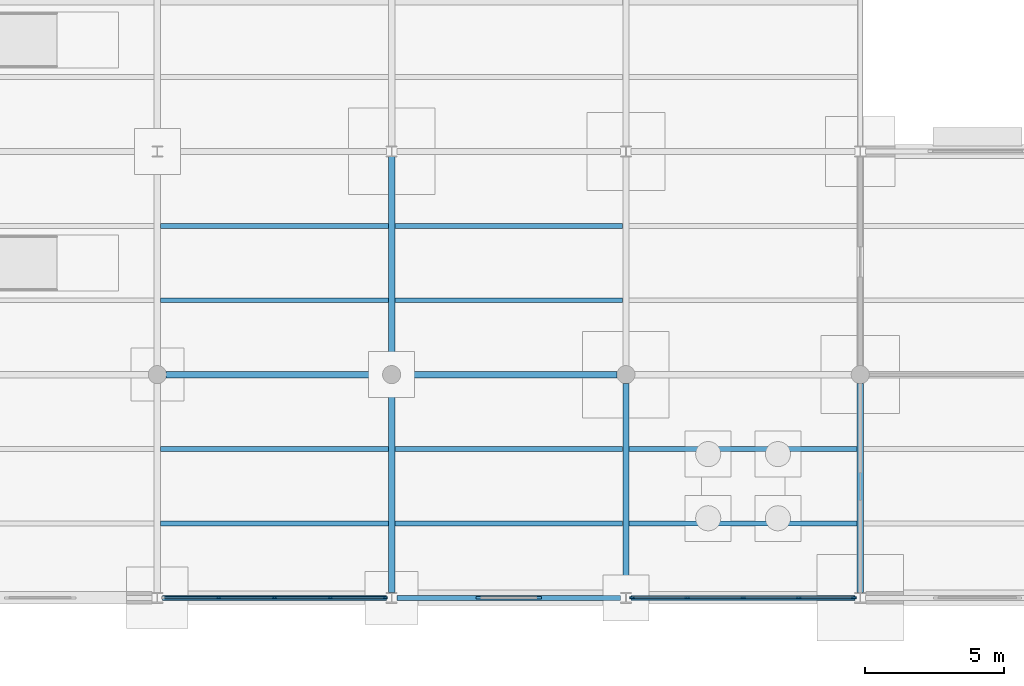
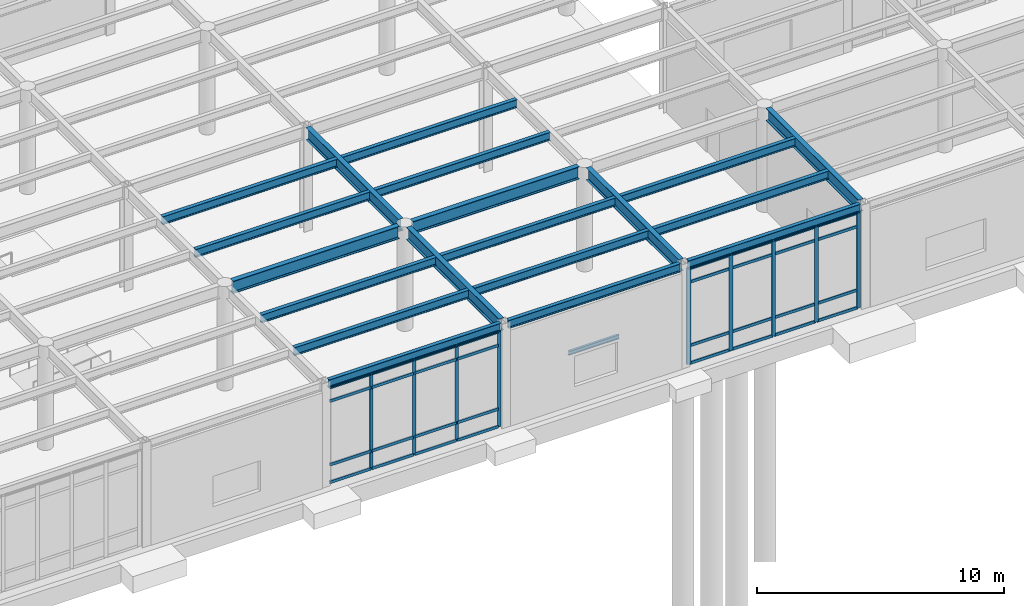
# One storey, part 52 of 138: 41 members, 20 beams, 2 elements without a shape of their own.
"""IFC4 building model written with IfcOpenShell, lengths in metres."""

from ifc_helpers import new_model, si_unit, direction, frame, origin, origin_2d, place, context, subcontext, project, spatial, rectangle, i_section, extrude, material, layer, layer_set, material_profile, profile_set, type_object, element, aggregate, save


model = new_model("IFC4")

# Units and contexts
model_context = context("Model", 3, precision=1e-05, world=origin(), true_north=direction((0.0, 1.0)))
body_context = subcontext(model_context, "Body", "Model", "MODEL_VIEW")
ifc_project = project(units=[si_unit("LENGTHUNIT", "METRE"), si_unit("AREAUNIT", "SQUARE_METRE"), si_unit("VOLUMEUNIT", "CUBIC_METRE"), si_unit("PLANEANGLEUNIT", "RADIAN"), si_unit("MASSUNIT", "GRAM", prefix="KILO")], contexts=[model_context])

# Site, building, storey
site_placement = place(None, origin())
site = spatial("IfcSite", under=ifc_project, at=site_placement, CompositionType="ELEMENT")
building_placement = place(site_placement, origin())
building = spatial("IfcBuilding", under=site, at=building_placement, Name="Kranzveld Transit Interchange", CompositionType="ELEMENT")
storey_placement = place(building_placement, origin())
storey = spatial("IfcBuildingStorey", under=building, at=storey_placement, Name="L00", CompositionType="ELEMENT", Elevation=0.0)

# Curtain wall, members
ifc_material_1 = material(Name="Bronze-anodised thermally broken aluminium", Category="aluminium")
ifc_layer_1 = layer(ifc_material_1, 0.159912109375)
ifc_layer_set_1 = layer_set([ifc_layer_1], Name="Bronze-anodised thermally broken aluminium")
curtain_wall_type_1 = type_object("IfcCurtainWallType", Name="Bus Boarding Glazed Screen CW-3", PredefinedType="USERDEFINED", material=ifc_layer_set_1)
curtain_wall_1_placement = place(storey_placement, origin())
curtain_wall_1 = element("IfcCurtainWall", 1, at=curtain_wall_1_placement, inside=storey, type_object=curtain_wall_type_1, Name="L00 Curtain Wall 16/A-17/A", ObjectType="CURTAIN WALL", PredefinedType="USERDEFINED")
ifc_material_2 = material(Name="Bronze-anodised thermally broken aluminium", Category="aluminium")
ifc_material_profile_1 = material_profile(ifc_material_2, rectangle(XDim=0.06005859375, YDim=0.14990234375, at=origin_2d()), Name="ALU MULLION 60x150")
ifc_profile_set_1 = profile_set([ifc_material_profile_1], Name="Bronze-anodised thermally broken aluminium")
member_type_1 = type_object("IfcMemberType", Name="Curtain Wall Mullion 60x150 Alu", PredefinedType="MULLION", material=ifc_profile_set_1)
member_1_placement = place(storey_placement, frame((128.19970703125, 0.0, 0.0), z_axis=(0.0, 0.0, 1.0), x_axis=(0.0, 1.0, 0.0)))
member_1 = element("IfcMember", 2, at=member_1_placement, type_object=member_type_1, Name="CW-3 mullion 2", PredefinedType="MULLION", context=body_context, shape_type="SweptSolid", body=[
    extrude(rectangle(XDim=0.06005859375, YDim=0.14990234375, at=origin_2d()), origin(), (0.0, 0.0, 1.0), 4.740478515625),
])
member_2_placement = place(storey_placement, frame((130.199951171875, 0.0, 0.0), z_axis=(0.0, 0.0, 1.0), x_axis=(0.0, 1.0, 0.0)))
member_2 = element("IfcMember", 3, at=member_2_placement, type_object=member_type_1, Name="CW-3 mullion 3", PredefinedType="MULLION", context=body_context, shape_type="SweptSolid", body=[
    extrude(rectangle(XDim=0.06005859375, YDim=0.14990234375, at=origin_2d()), origin(), (0.0, 0.0, 1.0), 4.740478515625),
])
member_3_placement = place(storey_placement, frame((132.2001953125, 0.0, 0.0), z_axis=(0.0, 0.0, 1.0), x_axis=(0.0, 1.0, 0.0)))
member_3 = element("IfcMember", 4, at=member_3_placement, type_object=member_type_1, Name="CW-3 mullion 4", PredefinedType="MULLION", context=body_context, shape_type="SweptSolid", body=[
    extrude(rectangle(XDim=0.06005859375, YDim=0.14990234375, at=origin_2d()), origin(), (0.0, 0.0, 1.0), 4.740478515625),
])
member_4_placement = place(storey_placement, frame((134.17041015625, 0.0, 0.0), z_axis=(0.0, 0.0, 1.0), x_axis=(0.0, 1.0, 0.0)))
member_4 = element("IfcMember", 5, at=member_4_placement, type_object=member_type_1, Name="CW-3 mullion 5", PredefinedType="MULLION", context=body_context, shape_type="SweptSolid", body=[
    extrude(rectangle(XDim=0.06005859375, YDim=0.14990234375, at=origin_2d()), origin(), (0.0, 0.0, 1.0), 4.740478515625),
])

ifc_material_3 = material(Name="Bronze-anodised thermally broken aluminium", Category="aluminium")
ifc_layer_2 = layer(ifc_material_3, 0.179931640625)
ifc_layer_set_2 = layer_set([ifc_layer_2], Name="Bronze-anodised thermally broken aluminium")
curtain_wall_type_2 = type_object("IfcCurtainWallType", Name="Concourse Unitised Curtain Wall CW-1", PredefinedType="USERDEFINED", material=ifc_layer_set_2)
curtain_wall_2_placement = place(storey_placement, origin())
curtain_wall_2 = element("IfcCurtainWall", 6, at=curtain_wall_2_placement, inside=storey, type_object=curtain_wall_type_2, Name="L00 Curtain Wall 18/A-19/A", ObjectType="CURTAIN WALL", PredefinedType="USERDEFINED")
ifc_material_4 = material(Name="Bronze-anodised thermally broken aluminium", Category="aluminium")
ifc_material_profile_2 = material_profile(ifc_material_4, rectangle(XDim=0.06494140625, YDim=0.179931640625, at=origin_2d()), Name="ALU MULLION 65x180")
ifc_profile_set_2 = profile_set([ifc_material_profile_2], Name="Bronze-anodised thermally broken aluminium")
member_type_2 = type_object("IfcMemberType", Name="Curtain Wall Mullion 65x180 Alu", PredefinedType="MULLION", material=ifc_profile_set_2)
member_5_placement = place(storey_placement, frame((143.031982421875, 0.0, 0.0), z_axis=(0.0, 0.0, 1.0), x_axis=(0.0, 1.0, 0.0)))
member_5 = element("IfcMember", 7, at=member_5_placement, type_object=member_type_2, Name="CW-1 mullion 1", PredefinedType="MULLION", context=body_context, shape_type="SweptSolid", body=[
    extrude(rectangle(XDim=0.06494140625, YDim=0.179931640625, at=origin_2d()), origin(), (0.0, 0.0, 1.0), 4.740478515625),
])
member_6_placement = place(storey_placement, frame((144.999755859375, 0.0, 0.0), z_axis=(0.0, 0.0, 1.0), x_axis=(0.0, 1.0, 0.0)))
member_6 = element("IfcMember", 8, at=member_6_placement, type_object=member_type_2, Name="CW-1 mullion 2", PredefinedType="MULLION", context=body_context, shape_type="SweptSolid", body=[
    extrude(rectangle(XDim=0.06494140625, YDim=0.179931640625, at=origin_2d()), origin(), (0.0, 0.0, 1.0), 4.740478515625),
])
member_7_placement = place(storey_placement, frame((147.0, 0.0, 0.0), z_axis=(0.0, 0.0, 1.0), x_axis=(0.0, 1.0, 0.0)))
member_7 = element("IfcMember", 9, at=member_7_placement, type_object=member_type_2, Name="CW-1 mullion 3", PredefinedType="MULLION", context=body_context, shape_type="SweptSolid", body=[
    extrude(rectangle(XDim=0.06494140625, YDim=0.179931640625, at=origin_2d()), origin(), (0.0, 0.0, 1.0), 4.740478515625),
])
member_8_placement = place(storey_placement, frame((149.000244140625, 0.0, 0.0), z_axis=(0.0, 0.0, 1.0), x_axis=(0.0, 1.0, 0.0)))
member_8 = element("IfcMember", 10, at=member_8_placement, type_object=member_type_2, Name="CW-1 mullion 4", PredefinedType="MULLION", context=body_context, shape_type="SweptSolid", body=[
    extrude(rectangle(XDim=0.06494140625, YDim=0.179931640625, at=origin_2d()), origin(), (0.0, 0.0, 1.0), 4.740478515625),
])
member_9_placement = place(storey_placement, frame((150.968017578125, 0.0, 0.0), z_axis=(0.0, 0.0, 1.0), x_axis=(0.0, 1.0, 0.0)))
member_9 = element("IfcMember", 11, at=member_9_placement, type_object=member_type_2, Name="CW-1 mullion 5", PredefinedType="MULLION", context=body_context, shape_type="SweptSolid", body=[
    extrude(rectangle(XDim=0.06494140625, YDim=0.179931640625, at=origin_2d()), origin(), (0.0, 0.0, 1.0), 4.740478515625),
])

# Member
ifc_material_5 = material(Name="Bronze-anodised thermally broken aluminium", Category="aluminium")
ifc_material_profile_3 = material_profile(ifc_material_5, rectangle(XDim=0.06494140625, YDim=0.139892578125, at=origin_2d()), Name="ALU TRANSOM 65x140")
ifc_profile_set_3 = profile_set([ifc_material_profile_3], Name="Bronze-anodised thermally broken aluminium")
member_type_3 = type_object("IfcMemberType", Name="Curtain Wall Transom 65x140 Alu", PredefinedType="USERDEFINED", material=ifc_profile_set_3)
member_10_placement = place(storey_placement, frame((126.259521484375, 0.0, 0.032470703125), z_axis=(1.0, 0.0, 0.0), x_axis=(0.0, 1.0, 0.0)))
member_10 = element("IfcMember", 12, at=member_10_placement, type_object=member_type_3, Name="CW-3 transom 1.1", ObjectType="TRANSOM", PredefinedType="USERDEFINED", context=body_context, shape_type="SweptSolid", body=[
    extrude(rectangle(XDim=0.06494140625, YDim=0.139892578125, at=origin_2d()), origin(), (0.0, 0.0, 1.0), 1.91015625),
])

member_11_placement = place(storey_placement, frame((126.259521484375, 0.0, 0.89990234375), z_axis=(1.0, 0.0, 0.0), x_axis=(0.0, 1.0, 0.0)))
member_11 = element("IfcMember", 13, at=member_11_placement, type_object=member_type_3, Name="CW-3 transom 1.2", ObjectType="TRANSOM", PredefinedType="USERDEFINED", context=body_context, shape_type="SweptSolid", body=[
    extrude(rectangle(XDim=0.06494140625, YDim=0.139892578125, at=origin_2d()), origin(), (0.0, 0.0, 1.0), 1.91015625),
])

member_12_placement = place(storey_placement, frame((126.259521484375, 0.0, 4.04052734375), z_axis=(1.0, 0.0, 0.0), x_axis=(0.0, 1.0, 0.0)))
member_12 = element("IfcMember", 14, at=member_12_placement, type_object=member_type_3, Name="CW-3 transom 1.3", ObjectType="TRANSOM", PredefinedType="USERDEFINED", context=body_context, shape_type="SweptSolid", body=[
    extrude(rectangle(XDim=0.06494140625, YDim=0.139892578125, at=origin_2d()), origin(), (0.0, 0.0, 1.0), 1.91015625),
])

member_13_placement = place(storey_placement, frame((126.259521484375, 0.0, 4.7080078125), z_axis=(1.0, 0.0, 0.0), x_axis=(0.0, 1.0, 0.0)))
member_13 = element("IfcMember", 15, at=member_13_placement, type_object=member_type_3, Name="CW-3 transom 1.4", ObjectType="TRANSOM", PredefinedType="USERDEFINED", context=body_context, shape_type="SweptSolid", body=[
    extrude(rectangle(XDim=0.06494140625, YDim=0.139892578125, at=origin_2d()), origin(), (0.0, 0.0, 1.0), 1.91015625),
])

member_14_placement = place(storey_placement, frame((128.229736328125, 0.0, 0.032470703125), z_axis=(1.0, 0.0, 0.0), x_axis=(0.0, 1.0, 0.0)))
member_14 = element("IfcMember", 16, at=member_14_placement, type_object=member_type_3, Name="CW-3 transom 2.1", ObjectType="TRANSOM", PredefinedType="USERDEFINED", context=body_context, shape_type="SweptSolid", body=[
    extrude(rectangle(XDim=0.06494140625, YDim=0.139892578125, at=origin_2d()), origin(), (0.0, 0.0, 1.0), 1.940185546875),
])

member_15_placement = place(storey_placement, frame((128.229736328125, 0.0, 0.89990234375), z_axis=(1.0, 0.0, 0.0), x_axis=(0.0, 1.0, 0.0)))
member_15 = element("IfcMember", 17, at=member_15_placement, type_object=member_type_3, Name="CW-3 transom 2.2", ObjectType="TRANSOM", PredefinedType="USERDEFINED", context=body_context, shape_type="SweptSolid", body=[
    extrude(rectangle(XDim=0.06494140625, YDim=0.139892578125, at=origin_2d()), origin(), (0.0, 0.0, 1.0), 1.940185546875),
])

member_16_placement = place(storey_placement, frame((128.229736328125, 0.0, 4.04052734375), z_axis=(1.0, 0.0, 0.0), x_axis=(0.0, 1.0, 0.0)))
member_16 = element("IfcMember", 18, at=member_16_placement, type_object=member_type_3, Name="CW-3 transom 2.3", ObjectType="TRANSOM", PredefinedType="USERDEFINED", context=body_context, shape_type="SweptSolid", body=[
    extrude(rectangle(XDim=0.06494140625, YDim=0.139892578125, at=origin_2d()), origin(), (0.0, 0.0, 1.0), 1.940185546875),
])

member_17_placement = place(storey_placement, frame((128.229736328125, 0.0, 4.7080078125), z_axis=(1.0, 0.0, 0.0), x_axis=(0.0, 1.0, 0.0)))
member_17 = element("IfcMember", 19, at=member_17_placement, type_object=member_type_3, Name="CW-3 transom 2.4", ObjectType="TRANSOM", PredefinedType="USERDEFINED", context=body_context, shape_type="SweptSolid", body=[
    extrude(rectangle(XDim=0.06494140625, YDim=0.139892578125, at=origin_2d()), origin(), (0.0, 0.0, 1.0), 1.940185546875),
])

member_18_placement = place(storey_placement, frame((130.22998046875, 0.0, 0.032470703125), z_axis=(1.0, 0.0, 0.0), x_axis=(0.0, 1.0, 0.0)))
member_18 = element("IfcMember", 20, at=member_18_placement, type_object=member_type_3, Name="CW-3 transom 3.1", ObjectType="TRANSOM", PredefinedType="USERDEFINED", context=body_context, shape_type="SweptSolid", body=[
    extrude(rectangle(XDim=0.06494140625, YDim=0.139892578125, at=origin_2d()), origin(), (0.0, 0.0, 1.0), 1.940185546875),
])

member_19_placement = place(storey_placement, frame((130.22998046875, 0.0, 0.89990234375), z_axis=(1.0, 0.0, 0.0), x_axis=(0.0, 1.0, 0.0)))
member_19 = element("IfcMember", 21, at=member_19_placement, type_object=member_type_3, Name="CW-3 transom 3.2", ObjectType="TRANSOM", PredefinedType="USERDEFINED", context=body_context, shape_type="SweptSolid", body=[
    extrude(rectangle(XDim=0.06494140625, YDim=0.139892578125, at=origin_2d()), origin(), (0.0, 0.0, 1.0), 1.940185546875),
])

member_20_placement = place(storey_placement, frame((130.22998046875, 0.0, 4.04052734375), z_axis=(1.0, 0.0, 0.0), x_axis=(0.0, 1.0, 0.0)))
member_20 = element("IfcMember", 22, at=member_20_placement, type_object=member_type_3, Name="CW-3 transom 3.3", ObjectType="TRANSOM", PredefinedType="USERDEFINED", context=body_context, shape_type="SweptSolid", body=[
    extrude(rectangle(XDim=0.06494140625, YDim=0.139892578125, at=origin_2d()), origin(), (0.0, 0.0, 1.0), 1.940185546875),
])

member_21_placement = place(storey_placement, frame((130.22998046875, 0.0, 4.7080078125), z_axis=(1.0, 0.0, 0.0), x_axis=(0.0, 1.0, 0.0)))
member_21 = element("IfcMember", 23, at=member_21_placement, type_object=member_type_3, Name="CW-3 transom 3.4", ObjectType="TRANSOM", PredefinedType="USERDEFINED", context=body_context, shape_type="SweptSolid", body=[
    extrude(rectangle(XDim=0.06494140625, YDim=0.139892578125, at=origin_2d()), origin(), (0.0, 0.0, 1.0), 1.940185546875),
])

member_22_placement = place(storey_placement, frame((132.230224609375, 0.0, 0.032470703125), z_axis=(1.0, 0.0, 0.0), x_axis=(0.0, 1.0, 0.0)))
member_22 = element("IfcMember", 24, at=member_22_placement, type_object=member_type_3, Name="CW-3 transom 4.1", ObjectType="TRANSOM", PredefinedType="USERDEFINED", context=body_context, shape_type="SweptSolid", body=[
    extrude(rectangle(XDim=0.06494140625, YDim=0.139892578125, at=origin_2d()), origin(), (0.0, 0.0, 1.0), 1.91015625),
])

member_23_placement = place(storey_placement, frame((132.230224609375, 0.0, 0.89990234375), z_axis=(1.0, 0.0, 0.0), x_axis=(0.0, 1.0, 0.0)))
member_23 = element("IfcMember", 25, at=member_23_placement, type_object=member_type_3, Name="CW-3 transom 4.2", ObjectType="TRANSOM", PredefinedType="USERDEFINED", context=body_context, shape_type="SweptSolid", body=[
    extrude(rectangle(XDim=0.06494140625, YDim=0.139892578125, at=origin_2d()), origin(), (0.0, 0.0, 1.0), 1.91015625),
])

member_24_placement = place(storey_placement, frame((132.230224609375, 0.0, 4.04052734375), z_axis=(1.0, 0.0, 0.0), x_axis=(0.0, 1.0, 0.0)))
member_24 = element("IfcMember", 26, at=member_24_placement, type_object=member_type_3, Name="CW-3 transom 4.3", ObjectType="TRANSOM", PredefinedType="USERDEFINED", context=body_context, shape_type="SweptSolid", body=[
    extrude(rectangle(XDim=0.06494140625, YDim=0.139892578125, at=origin_2d()), origin(), (0.0, 0.0, 1.0), 1.91015625),
])

member_25_placement = place(storey_placement, frame((132.230224609375, 0.0, 4.7080078125), z_axis=(1.0, 0.0, 0.0), x_axis=(0.0, 1.0, 0.0)))
member_25 = element("IfcMember", 27, at=member_25_placement, type_object=member_type_3, Name="CW-3 transom 4.4", ObjectType="TRANSOM", PredefinedType="USERDEFINED", context=body_context, shape_type="SweptSolid", body=[
    extrude(rectangle(XDim=0.06494140625, YDim=0.139892578125, at=origin_2d()), origin(), (0.0, 0.0, 1.0), 1.91015625),
])

aggregate(curtain_wall_1, [member_1, member_2, member_3, member_4, member_10, member_11, member_12, member_13, member_14, member_15, member_16, member_17, member_18, member_19, member_20, member_21, member_22, member_23, member_24, member_25])

member_26_placement = place(storey_placement, frame((143.064453125, 0.0, 0.032470703125), z_axis=(1.0, 0.0, 0.0), x_axis=(0.0, 1.0, 0.0)))
member_26 = element("IfcMember", 28, at=member_26_placement, type_object=member_type_3, Name="CW-1 transom 1.1", ObjectType="TRANSOM", PredefinedType="USERDEFINED", context=body_context, shape_type="SweptSolid", body=[
    extrude(rectangle(XDim=0.06494140625, YDim=0.139892578125, at=origin_2d()), origin(), (0.0, 0.0, 1.0), 1.90283203125),
])

member_27_placement = place(storey_placement, frame((143.064453125, 0.0, 0.89990234375), z_axis=(1.0, 0.0, 0.0), x_axis=(0.0, 1.0, 0.0)))
member_27 = element("IfcMember", 29, at=member_27_placement, type_object=member_type_3, Name="CW-1 transom 1.2", ObjectType="TRANSOM", PredefinedType="USERDEFINED", context=body_context, shape_type="SweptSolid", body=[
    extrude(rectangle(XDim=0.06494140625, YDim=0.139892578125, at=origin_2d()), origin(), (0.0, 0.0, 1.0), 1.90283203125),
])

member_28_placement = place(storey_placement, frame((143.064453125, 0.0, 4.04052734375), z_axis=(1.0, 0.0, 0.0), x_axis=(0.0, 1.0, 0.0)))
member_28 = element("IfcMember", 30, at=member_28_placement, type_object=member_type_3, Name="CW-1 transom 1.3", ObjectType="TRANSOM", PredefinedType="USERDEFINED", context=body_context, shape_type="SweptSolid", body=[
    extrude(rectangle(XDim=0.06494140625, YDim=0.139892578125, at=origin_2d()), origin(), (0.0, 0.0, 1.0), 1.90283203125),
])

member_29_placement = place(storey_placement, frame((143.064453125, 0.0, 4.7080078125), z_axis=(1.0, 0.0, 0.0), x_axis=(0.0, 1.0, 0.0)))
member_29 = element("IfcMember", 31, at=member_29_placement, type_object=member_type_3, Name="CW-1 transom 1.4", ObjectType="TRANSOM", PredefinedType="USERDEFINED", context=body_context, shape_type="SweptSolid", body=[
    extrude(rectangle(XDim=0.06494140625, YDim=0.139892578125, at=origin_2d()), origin(), (0.0, 0.0, 1.0), 1.90283203125),
])

member_30_placement = place(storey_placement, frame((145.0322265625, 0.0, 0.032470703125), z_axis=(1.0, 0.0, 0.0), x_axis=(0.0, 1.0, 0.0)))
member_30 = element("IfcMember", 32, at=member_30_placement, type_object=member_type_3, Name="CW-1 transom 2.1", ObjectType="TRANSOM", PredefinedType="USERDEFINED", context=body_context, shape_type="SweptSolid", body=[
    extrude(rectangle(XDim=0.06494140625, YDim=0.139892578125, at=origin_2d()), origin(), (0.0, 0.0, 1.0), 1.935302734375),
])

member_31_placement = place(storey_placement, frame((145.0322265625, 0.0, 0.89990234375), z_axis=(1.0, 0.0, 0.0), x_axis=(0.0, 1.0, 0.0)))
member_31 = element("IfcMember", 33, at=member_31_placement, type_object=member_type_3, Name="CW-1 transom 2.2", ObjectType="TRANSOM", PredefinedType="USERDEFINED", context=body_context, shape_type="SweptSolid", body=[
    extrude(rectangle(XDim=0.06494140625, YDim=0.139892578125, at=origin_2d()), origin(), (0.0, 0.0, 1.0), 1.935302734375),
])

member_32_placement = place(storey_placement, frame((145.0322265625, 0.0, 4.04052734375), z_axis=(1.0, 0.0, 0.0), x_axis=(0.0, 1.0, 0.0)))
member_32 = element("IfcMember", 34, at=member_32_placement, type_object=member_type_3, Name="CW-1 transom 2.3", ObjectType="TRANSOM", PredefinedType="USERDEFINED", context=body_context, shape_type="SweptSolid", body=[
    extrude(rectangle(XDim=0.06494140625, YDim=0.139892578125, at=origin_2d()), origin(), (0.0, 0.0, 1.0), 1.935302734375),
])

member_33_placement = place(storey_placement, frame((145.0322265625, 0.0, 4.7080078125), z_axis=(1.0, 0.0, 0.0), x_axis=(0.0, 1.0, 0.0)))
member_33 = element("IfcMember", 35, at=member_33_placement, type_object=member_type_3, Name="CW-1 transom 2.4", ObjectType="TRANSOM", PredefinedType="USERDEFINED", context=body_context, shape_type="SweptSolid", body=[
    extrude(rectangle(XDim=0.06494140625, YDim=0.139892578125, at=origin_2d()), origin(), (0.0, 0.0, 1.0), 1.935302734375),
])

member_34_placement = place(storey_placement, frame((147.032470703125, 0.0, 0.032470703125), z_axis=(1.0, 0.0, 0.0), x_axis=(0.0, 1.0, 0.0)))
member_34 = element("IfcMember", 36, at=member_34_placement, type_object=member_type_3, Name="CW-1 transom 3.1", ObjectType="TRANSOM", PredefinedType="USERDEFINED", context=body_context, shape_type="SweptSolid", body=[
    extrude(rectangle(XDim=0.06494140625, YDim=0.139892578125, at=origin_2d()), origin(), (0.0, 0.0, 1.0), 1.935302734375),
])

member_35_placement = place(storey_placement, frame((147.032470703125, 0.0, 0.89990234375), z_axis=(1.0, 0.0, 0.0), x_axis=(0.0, 1.0, 0.0)))
member_35 = element("IfcMember", 37, at=member_35_placement, type_object=member_type_3, Name="CW-1 transom 3.2", ObjectType="TRANSOM", PredefinedType="USERDEFINED", context=body_context, shape_type="SweptSolid", body=[
    extrude(rectangle(XDim=0.06494140625, YDim=0.139892578125, at=origin_2d()), origin(), (0.0, 0.0, 1.0), 1.935302734375),
])

member_36_placement = place(storey_placement, frame((147.032470703125, 0.0, 4.04052734375), z_axis=(1.0, 0.0, 0.0), x_axis=(0.0, 1.0, 0.0)))
member_36 = element("IfcMember", 38, at=member_36_placement, type_object=member_type_3, Name="CW-1 transom 3.3", ObjectType="TRANSOM", PredefinedType="USERDEFINED", context=body_context, shape_type="SweptSolid", body=[
    extrude(rectangle(XDim=0.06494140625, YDim=0.139892578125, at=origin_2d()), origin(), (0.0, 0.0, 1.0), 1.935302734375),
])

member_37_placement = place(storey_placement, frame((147.032470703125, 0.0, 4.7080078125), z_axis=(1.0, 0.0, 0.0), x_axis=(0.0, 1.0, 0.0)))
member_37 = element("IfcMember", 39, at=member_37_placement, type_object=member_type_3, Name="CW-1 transom 3.4", ObjectType="TRANSOM", PredefinedType="USERDEFINED", context=body_context, shape_type="SweptSolid", body=[
    extrude(rectangle(XDim=0.06494140625, YDim=0.139892578125, at=origin_2d()), origin(), (0.0, 0.0, 1.0), 1.935302734375),
])

member_38_placement = place(storey_placement, frame((149.03271484375, 0.0, 0.032470703125), z_axis=(1.0, 0.0, 0.0), x_axis=(0.0, 1.0, 0.0)))
member_38 = element("IfcMember", 40, at=member_38_placement, type_object=member_type_3, Name="CW-1 transom 4.1", ObjectType="TRANSOM", PredefinedType="USERDEFINED", context=body_context, shape_type="SweptSolid", body=[
    extrude(rectangle(XDim=0.06494140625, YDim=0.139892578125, at=origin_2d()), origin(), (0.0, 0.0, 1.0), 1.90283203125),
])

member_39_placement = place(storey_placement, frame((149.03271484375, 0.0, 0.89990234375), z_axis=(1.0, 0.0, 0.0), x_axis=(0.0, 1.0, 0.0)))
member_39 = element("IfcMember", 41, at=member_39_placement, type_object=member_type_3, Name="CW-1 transom 4.2", ObjectType="TRANSOM", PredefinedType="USERDEFINED", context=body_context, shape_type="SweptSolid", body=[
    extrude(rectangle(XDim=0.06494140625, YDim=0.139892578125, at=origin_2d()), origin(), (0.0, 0.0, 1.0), 1.90283203125),
])

member_40_placement = place(storey_placement, frame((149.03271484375, 0.0, 4.04052734375), z_axis=(1.0, 0.0, 0.0), x_axis=(0.0, 1.0, 0.0)))
member_40 = element("IfcMember", 42, at=member_40_placement, type_object=member_type_3, Name="CW-1 transom 4.3", ObjectType="TRANSOM", PredefinedType="USERDEFINED", context=body_context, shape_type="SweptSolid", body=[
    extrude(rectangle(XDim=0.06494140625, YDim=0.139892578125, at=origin_2d()), origin(), (0.0, 0.0, 1.0), 1.90283203125),
])

member_41_placement = place(storey_placement, frame((149.03271484375, 0.0, 4.7080078125), z_axis=(1.0, 0.0, 0.0), x_axis=(0.0, 1.0, 0.0)))
member_41 = element("IfcMember", 43, at=member_41_placement, type_object=member_type_3, Name="CW-1 transom 4.4", ObjectType="TRANSOM", PredefinedType="USERDEFINED", context=body_context, shape_type="SweptSolid", body=[
    extrude(rectangle(XDim=0.06494140625, YDim=0.139892578125, at=origin_2d()), origin(), (0.0, 0.0, 1.0), 1.90283203125),
])

aggregate(curtain_wall_2, [member_5, member_6, member_7, member_8, member_9, member_26, member_27, member_28, member_29, member_30, member_31, member_32, member_33, member_34, member_35, member_36, member_37, member_38, member_39, member_40, member_41])

# Beams
ifc_material_6 = material(Name="Steel S355JR", Category="steel")
ifc_material_profile_4 = material_profile(ifc_material_6, i_section(OverallWidth=0.1787109375, OverallDepth=0.409423828125, WebThickness=0.0087890625, FlangeThickness=0.014404296875, FilletRadius=0.01025390625, at=origin_2d()), Name="UB 406x178x67")
ifc_profile_set_4 = profile_set([ifc_material_profile_4], Name="Steel S355JR")
beam_type_1 = type_object("IfcBeamType", Name="Facade Spandrel UB 406x178x67 S355JR", PredefinedType="SPANDREL", material=ifc_profile_set_4)
for number, where, z_axis, x_axis, name in (
    (44, (126.189453125, 0.0, 4.9453125), (1.0, 0.0, 0.0), (0.0, 1.0, 0.0), "L00 Girder 16-17/A"),
    (45, (134.589599609375, 0.0, 4.9453125), (1.0, 0.0, 0.0), (0.0, 1.0, 0.0), "L00 Girder 17-18/A"),
    (46, (142.989501953125, 0.0, 4.9453125), (1.0, 0.0, 0.0), (0.0, 1.0, 0.0), "L00 Girder 18-19/A"),
):
    element("IfcBeam", number, at=place(storey_placement, frame(where, z_axis=z_axis, x_axis=x_axis)), inside=storey, type_object=beam_type_1, Name=name, PredefinedType="SPANDREL", context=body_context, shape_type="SweptSolid", body=[
        extrude(i_section(OverallWidth=0.1787109375, OverallDepth=0.409423828125, WebThickness=0.0087890625, FlangeThickness=0.014404296875, FilletRadius=0.01025390625, at=origin_2d()), origin(), (0.0, 0.0, 1.0), 8.02099609375),
    ])
ifc_material_7 = material(Name="Steel S355JR", Category="steel")
ifc_material_profile_5 = material_profile(ifc_material_7, i_section(OverallWidth=0.177734375, OverallDepth=0.402587890625, WebThickness=0.0078125, FlangeThickness=0.010986328125, FilletRadius=0.01025390625, at=origin_2d()), Name="UB 406x178x54")
ifc_profile_set_5 = profile_set([ifc_material_profile_5], Name="Steel S355JR")
beam_type_2 = type_object("IfcBeamType", Name="Floor Joist UB 406x178x54 S355JR", PredefinedType="JOIST", material=ifc_profile_set_5)
for number, where, z_axis, x_axis, name in (
    (47, (126.1162109375, 2.666748046875, 4.94873046875), (1.0, 0.0, 0.0), (0.0, 1.0, 0.0), "L00 Secondary Joist 16-17/A.1"),
    (48, (126.1162109375, 5.333251953125, 4.94873046875), (1.0, 0.0, 0.0), (0.0, 1.0, 0.0), "L00 Secondary Joist 16-17/A.2"),
    (49, (126.1162109375, 10.666748046875, 4.94873046875), (1.0, 0.0, 0.0), (0.0, 1.0, 0.0), "L00 Secondary Joist 16-17/B.1"),
    (50, (126.1162109375, 13.333251953125, 4.94873046875), (1.0, 0.0, 0.0), (0.0, 1.0, 0.0), "L00 Secondary Joist 16-17/B.2"),
    (51, (134.51611328125, 2.666748046875, 4.94873046875), (1.0, 0.0, 0.0), (0.0, 1.0, 0.0), "L00 Secondary Joist 17-18/A.1"),
    (52, (134.51611328125, 5.333251953125, 4.94873046875), (1.0, 0.0, 0.0), (0.0, 1.0, 0.0), "L00 Secondary Joist 17-18/A.2"),
    (53, (134.51611328125, 10.666748046875, 4.94873046875), (1.0, 0.0, 0.0), (0.0, 1.0, 0.0), "L00 Secondary Joist 17-18/B.1"),
    (54, (134.51611328125, 13.333251953125, 4.94873046875), (1.0, 0.0, 0.0), (0.0, 1.0, 0.0), "L00 Secondary Joist 17-18/B.2"),
):
    element("IfcBeam", number, at=place(storey_placement, frame(where, z_axis=z_axis, x_axis=x_axis)), inside=storey, type_object=beam_type_2, Name=name, PredefinedType="JOIST", context=body_context, shape_type="SweptSolid", body=[
        extrude(i_section(OverallWidth=0.177734375, OverallDepth=0.402587890625, WebThickness=0.0078125, FlangeThickness=0.010986328125, FilletRadius=0.01025390625, at=origin_2d()), origin(), (0.0, 0.0, 1.0), 8.167724609375),
    ])
for number, where, z_axis, x_axis, name in (
    (55, (142.916015625, 2.666748046875, 4.94873046875), (1.0, 0.0, 0.0), (0.0, 1.0, 0.0), "L00 Secondary Joist 18-19/A.1"),
    (56, (142.916015625, 5.333251953125, 4.94873046875), (1.0, 0.0, 0.0), (0.0, 1.0, 0.0), "L00 Secondary Joist 18-19/A.2"),
):
    element("IfcBeam", number, at=place(storey_placement, frame(where, z_axis=z_axis, x_axis=x_axis)), inside=storey, type_object=beam_type_2, Name=name, PredefinedType="JOIST", context=body_context, shape_type="SweptSolid", body=[
        extrude(i_section(OverallWidth=0.177734375, OverallDepth=0.402587890625, WebThickness=0.0078125, FlangeThickness=0.010986328125, FilletRadius=0.01025390625, at=origin_2d()), origin(), (0.0, 0.0, 1.0), 8.16796875),
    ])
ifc_material_8 = material(Name="Steel S355JR", Category="steel")
ifc_material_profile_6 = material_profile(ifc_material_8, i_section(OverallWidth=0.228271484375, OverallDepth=0.607666015625, WebThickness=0.010986328125, FlangeThickness=0.017333984375, FilletRadius=0.0126953125, at=origin_2d()), Name="UB 610x229x113")
ifc_profile_set_6 = profile_set([ifc_material_profile_6], Name="Steel S355JR")
beam_type_3 = type_object("IfcBeamType", Name="Girder Steel UB 610x229x113 S355JR", PredefinedType="BEAM", material=ifc_profile_set_6)
for number, where, z_axis, x_axis, name in (
    (57, (134.39990234375, 0.186767578125, 4.84619140625), (0.0, 1.0, 0.0), (-1.0, 0.0, 0.0), "L00 Girder 17/A-B"),
    (58, (134.39990234375, 8.31494140625, 4.84619140625), (0.0, 1.0, 0.0), (-1.0, 0.0, 0.0), "L00 Girder 17/B-C"),
    (59, (142.800048828125, 0.186767578125, 4.84619140625), (0.0, 1.0, 0.0), (-1.0, 0.0, 0.0), "L00 Girder 18/A-B"),
    (60, (151.199951171875, 0.186767578125, 4.84619140625), (0.0, 1.0, 0.0), (-1.0, 0.0, 0.0), "L00 Girder 19/A-B"),
):
    element("IfcBeam", number, at=place(storey_placement, frame(where, z_axis=z_axis, x_axis=x_axis)), inside=storey, type_object=beam_type_3, Name=name, PredefinedType="BEAM", context=body_context, shape_type="SweptSolid", body=[
        extrude(i_section(OverallWidth=0.228271484375, OverallDepth=0.607666015625, WebThickness=0.010986328125, FlangeThickness=0.017333984375, FilletRadius=0.0126953125, at=origin_2d()), origin(), (0.0, 0.0, 1.0), 7.498291015625),
    ])
ifc_material_9 = material(Name="Steel S355JR", Category="steel")
ifc_material_profile_7 = material_profile(ifc_material_9, i_section(OverallWidth=0.230224609375, OverallDepth=0.6171875, WebThickness=0.01318359375, FlangeThickness=0.022216796875, FilletRadius=0.0126953125, at=origin_2d()), Name="UB 610x229x140")
ifc_profile_set_7 = profile_set([ifc_material_profile_7], Name="Steel S355JR")
beam_type_4 = type_object("IfcBeamType", Name="Girder Steel UB 610x229x140 S355JR", PredefinedType="BEAM", material=ifc_profile_set_7)
for number, where, z_axis, x_axis, name in (
    (61, (126.31494140625, 8.0, 4.84130859375), (1.0, 0.0, 0.0), (0.0, 1.0, 0.0), "L00 Girder 16-17/B"),
    (62, (134.715087890625, 8.0, 4.84130859375), (1.0, 0.0, 0.0), (0.0, 1.0, 0.0), "L00 Girder 17-18/B"),
):
    element("IfcBeam", number, at=place(storey_placement, frame(where, z_axis=z_axis, x_axis=x_axis)), inside=storey, type_object=beam_type_4, Name=name, PredefinedType="BEAM", context=body_context, shape_type="SweptSolid", body=[
        extrude(i_section(OverallWidth=0.230224609375, OverallDepth=0.6171875, WebThickness=0.01318359375, FlangeThickness=0.022216796875, FilletRadius=0.0126953125, at=origin_2d()), origin(), (0.0, 0.0, 1.0), 7.77001953125),
    ])
ifc_material_10 = material(Name="Steel S355JR", Category="steel")
ifc_material_profile_8 = material_profile(ifc_material_10, i_section(OverallWidth=0.10009765625, OverallDepth=0.199951171875, WebThickness=0.005615234375, FlangeThickness=0.008544921875, FilletRadius=0.011962890625, at=origin_2d()), Name="IPE 200")
ifc_profile_set_8 = profile_set([ifc_material_profile_8], Name="Steel S355JR")
beam_type_5 = type_object("IfcBeamType", Name="Opening Lintel IPE 200 S355JR", PredefinedType="LINTEL", material=ifc_profile_set_8)
beam_placement = place(storey_placement, frame((137.419921875, 0.0, 2.5048828125), z_axis=(1.0, 0.0, 0.0), x_axis=(0.0, 1.0, 0.0)))
element("IfcBeam", 63, at=beam_placement, inside=storey, type_object=beam_type_5, Name="L00 Window Lintel 050", PredefinedType="LINTEL", context=body_context, shape_type="SweptSolid", body=[
    extrude(i_section(OverallWidth=0.10009765625, OverallDepth=0.199951171875, WebThickness=0.005615234375, FlangeThickness=0.008544921875, FilletRadius=0.011962890625, at=origin_2d()), origin(), (0.0, 0.0, 1.0), 2.360107421875),
])

save(model, "model.ifc")
